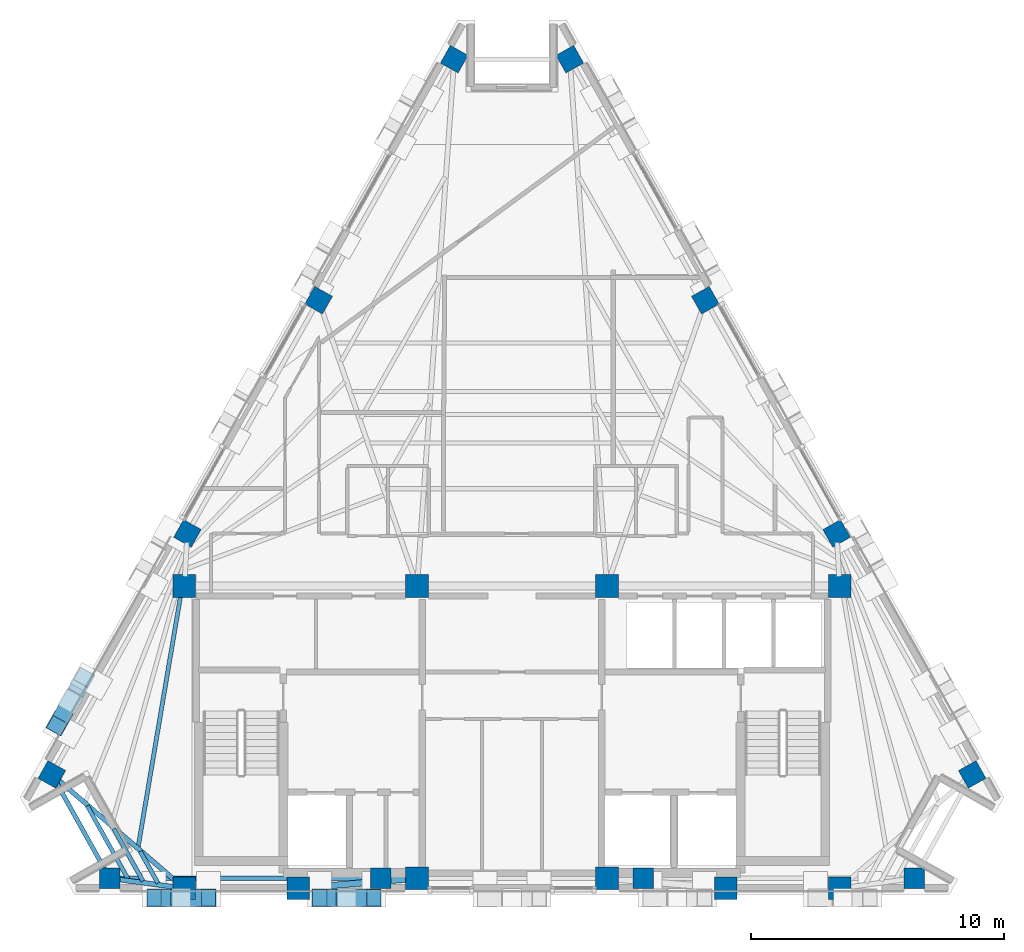
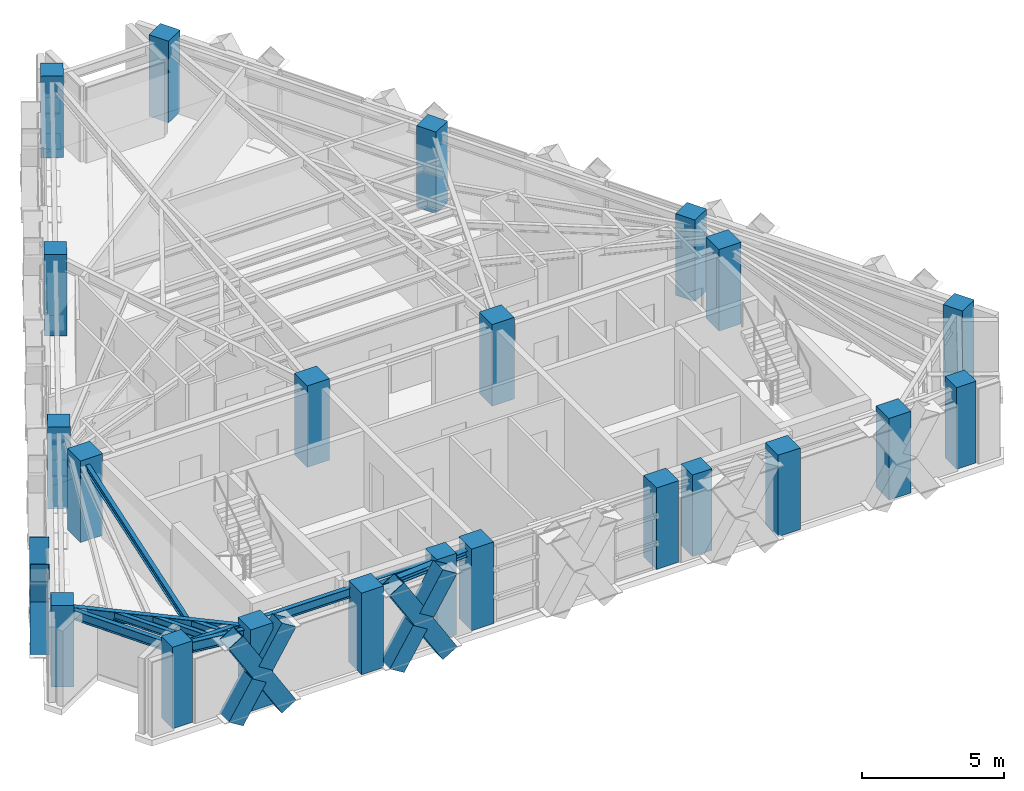
# One storey, part 1 of 11: 22 columns, 9 beams, 8 members.
"""IFC4 building model written with IfcOpenShell, lengths in metres."""

from ifc_helpers import new_model, si_unit, direction, frame, origin, origin_2d, place, context, subcontext, project, spatial, rectangle, hollow_rectangle, i_section, extrude, material, material_profile, profile_set, type_object, element, save


model = new_model("IFC4")

# Units and contexts
model_context = context("Model", 3, precision=1e-05, world=origin(), true_north=direction((0.0, 1.0)))
body_context = subcontext(model_context, "Body", "Model", "MODEL_VIEW")
ifc_project = project(units=[si_unit("LENGTHUNIT", "METRE"), si_unit("AREAUNIT", "SQUARE_METRE"), si_unit("VOLUMEUNIT", "CUBIC_METRE"), si_unit("PLANEANGLEUNIT", "RADIAN"), si_unit("MASSUNIT", "GRAM", prefix="KILO")], contexts=[model_context])

# Site, building, storey
site_placement = place(None, origin())
site = spatial("IfcSite", under=ifc_project, at=site_placement, CompositionType="ELEMENT")
building_placement = place(site_placement, origin())
building = spatial("IfcBuilding", under=site, at=building_placement, Name="Quenlor Broadcast Tower", CompositionType="ELEMENT")
storey_placement = place(building_placement, frame((0.0, 0.0, 242.89990234375)))
storey = spatial("IfcBuildingStorey", under=building, at=storey_placement, Name="L67", CompositionType="ELEMENT", Elevation=242.89990234375)

# Columns
ifc_material_1 = material(Name="Concrete C50/60", Category="concrete")
ifc_material_profile_1 = material_profile(ifc_material_1, rectangle(XDim=0.89990234375, YDim=0.89990234375, at=origin_2d()))
ifc_profile_set_1 = profile_set([ifc_material_profile_1], Name="Concrete C50/60 RC900x900")
column_type_1 = type_object("IfcColumnType", Name="Core Corner Column Upper Concrete C50/60 900", PredefinedType="COLUMN", material=ifc_profile_set_1)
for number, where, z_axis, x_axis, name in (
    (1, (-12.949951171875, -16.75, 0.0), (0.0, 0.0, 1.0), (1.0, 0.0, 0.0), "L67 Core Column CC1"),
    (2, (-8.449951171875, -16.75, 0.0), (0.0, 0.0, 1.0), (1.0, 0.0, 0.0), "L67 Core Column CC2"),
    (3, (-3.75, -16.35009765625, 0.0), (0.0, 0.0, 1.0), (1.0, 0.0, 0.0), "L67 Core Column CC3"),
    (4, (3.75, -16.35009765625, 0.0), (0.0, 0.0, 1.0), (1.0, 0.0, 0.0), "L67 Core Column CC4"),
    (5, (8.449951171875, -16.75, 0.0), (0.0, 0.0, 1.0), (1.0, 0.0, 0.0), "L67 Core Column CC5"),
    (6, (12.949951171875, -16.75, 0.0), (0.0, 0.0, 1.0), (1.0, 0.0, 0.0), "L67 Core Column CC6"),
    (7, (-12.949951171875, -4.800048828125, 0.0), (0.0, 0.0, 1.0), (1.0, 0.0, 0.0), "L67 Core Column CC7"),
    (8, (-3.75, -4.800048828125, 0.0), (0.0, 0.0, 1.0), (1.0, 0.0, 0.0), "L67 Core Column CC8"),
    (9, (3.75, -4.800048828125, 0.0), (0.0, 0.0, 1.0), (1.0, 0.0, 0.0), "L67 Core Column CC9"),
    (10, (12.949951171875, -4.800048828125, 0.0), (0.0, 0.0, 1.0), (1.0, 0.0, 0.0), "L67 Core Column CC10"),
):
    element("IfcColumn", number, at=place(storey_placement, frame(where, z_axis=z_axis, x_axis=x_axis)), inside=storey, type_object=column_type_1, Name=name, PredefinedType="COLUMN", context=body_context, shape_type="SweptSolid", body=[
        extrude(rectangle(XDim=0.89990234375, YDim=0.89990234375, at=origin_2d()), origin(), (0.0, 0.0, 1.0), 3.5),
    ])
ifc_material_2 = material(Name="Concrete C50/60", Category="concrete")
ifc_material_profile_2 = material_profile(ifc_material_2, rectangle(XDim=0.800048828125, YDim=0.800048828125, at=origin_2d()))
ifc_profile_set_2 = profile_set([ifc_material_profile_2], Name="Concrete C50/60 RC800x800")
column_type_2 = type_object("IfcColumnType", Name="Tower Perimeter Column Z5 Concrete C50/60 800", PredefinedType="COLUMN", material=ifc_profile_set_2)
for number, where, z_axis, x_axis, name in (
    (11, (-15.897705078125, -16.35009765625, 0.0), (0.0, 0.0, 1.0), (0.0, 1.0, 0.0), "L67 Perimeter Column S1"),
    (12, (-5.18408203125, -16.35009765625, 0.0), (0.0, 0.0, 1.0), (0.0, 1.0, 0.0), "L67 Perimeter Column S2"),
    (13, (5.18408203125, -16.35009765625, 0.0), (0.0, 0.0, 1.0), (0.0, 1.0, 0.0), "L67 Perimeter Column S3"),
    (14, (15.897705078125, -16.35009765625, 0.0), (0.0, 0.0, 1.0), (0.0, 1.0, 0.0), "L67 Perimeter Column S4"),
    (15, (18.182373046875, -12.25, 0.0), (0.0, 0.0, 1.0), (0.871575139605, 0.490261946333, 0.0), "L67 Perimeter Column NE1"),
    (16, (12.825439453125, -2.726806640625, 0.0), (0.0, 0.0, 1.0), (0.871575139605, 0.490261946333, 0.0), "L67 Perimeter Column NE2"),
    (17, (7.6416015625, 6.4892578125, 0.0), (0.0, 0.0, 1.0), (0.871575139605, 0.490261946333, 0.0), "L67 Perimeter Column NE3"),
    (18, (2.28466796875, 16.012451171875, 0.0), (0.0, 0.0, 1.0), (0.871575139605, 0.490261946333, 0.0), "L67 Perimeter Column NE4"),
    (19, (-2.28466796875, 16.012451171875, 0.0), (0.0, 0.0, 1.0), (-0.871575139605, 0.490261946333, 0.0), "L67 Perimeter Column NW1"),
    (20, (-7.6416015625, 6.4892578125, 0.0), (0.0, 0.0, 1.0), (-0.871575139605, 0.490261946333, 0.0), "L67 Perimeter Column NW2"),
    (21, (-12.825439453125, -2.726806640625, 0.0), (0.0, 0.0, 1.0), (-0.871575139605, 0.490261946333, 0.0), "L67 Perimeter Column NW3"),
    (22, (-18.182373046875, -12.25, 0.0), (0.0, 0.0, 1.0), (-0.871575139605, 0.490261946333, 0.0), "L67 Perimeter Column NW4"),
):
    element("IfcColumn", number, at=place(storey_placement, frame(where, z_axis=z_axis, x_axis=x_axis)), inside=storey, type_object=column_type_2, Name=name, PredefinedType="COLUMN", context=body_context, shape_type="SweptSolid", body=[
        extrude(rectangle(XDim=0.800048828125, YDim=0.800048828125, at=origin_2d()), origin(), (0.0, 0.0, 1.0), 3.5),
    ])

# Beam
ifc_material_3 = material(Name="Steel S355", Category="steel")
ifc_material_profile_3 = material_profile(ifc_material_3, i_section(OverallWidth=0.25390625, OverallDepth=0.25390625, WebThickness=0.008544921875, FlangeThickness=0.01416015625, FilletRadius=0.013916015625, at=origin_2d()))
ifc_profile_set_3 = profile_set([ifc_material_profile_3], Name="Steel S355 250UC72.9")
beam_type_1 = type_object("IfcBeamType", Name="Core Opening Lintel Beam Steel S355 250UC72.9", PredefinedType="LINTEL", material=ifc_profile_set_3)
beam_1_placement = place(storey_placement, frame((-8.09130859375, -16.719482421875, 3.123291015625), z_axis=(0.996399763903, 0.084779186679, 0.0), x_axis=(-0.084779186679, 0.996399763903, 0.0)))
element("IfcBeam", 23, at=beam_1_placement, inside=storey, type_object=beam_type_1, Name="L67 Core Opening Lintel Beam 4", PredefinedType="LINTEL", context=body_context, shape_type="SweptSolid", body=[
    extrude(i_section(OverallWidth=0.25390625, OverallDepth=0.25390625, WebThickness=0.008544921875, FlangeThickness=0.01416015625, FilletRadius=0.013916015625, at=origin_2d()), origin(), (0.0, 0.0, 1.0), 3.9970703125),
])

# Members
ifc_material_4 = material(Name="Steel S355", Category="steel")
ifc_material_profile_4 = material_profile(ifc_material_4, hollow_rectangle(XDim=0.679931640625, YDim=0.679931640625, WallThickness=0.02001953125, at=origin_2d()))
ifc_profile_set_4 = profile_set([ifc_material_profile_4], Name="Steel S355 RHS680x680x20")
member_type = type_object("IfcMemberType", Name="Perimeter Diagonal Lattice Brace Z5-Crown Steel S355 RHS680x20", PredefinedType="BRACE", material=ifc_profile_set_4)
member_1_placement = place(storey_placement, frame((-5.456298828125, -17.1201171875, -0.119873046875), z_axis=(-0.5236596973, 0.0, 0.851927532965), x_axis=(0.0, -1.0, 0.0)))
element("IfcMember", 24, at=member_1_placement, inside=storey, type_object=member_type, Name="L67 Perimeter Diamond Lattice S-C4XA", PredefinedType="BRACE", context=body_context, shape_type="SweptSolid", body=[
    extrude(hollow_rectangle(XDim=0.679931640625, YDim=0.679931640625, WallThickness=0.02001953125, at=origin_2d()), origin(), (0.0, 0.0, 1.0), 4.1083984375),
])
member_2_placement = place(storey_placement, frame((-7.607666015625, -17.1201171875, -0.119873046875), z_axis=(0.523719849356, 0.0, 0.851890555993), x_axis=(0.0, 1.0, 0.0)))
element("IfcMember", 25, at=member_2_placement, inside=storey, type_object=member_type, Name="L67 Perimeter Diamond Lattice S-C4XB1", PredefinedType="BRACE", context=body_context, shape_type="SweptSolid", body=[
    extrude(hollow_rectangle(XDim=0.679931640625, YDim=0.679931640625, WallThickness=0.02001953125, at=origin_2d()), origin(), (0.0, 0.0, 1.0), 1.803955078125),
])
member_3_placement = place(storey_placement, frame((-6.401123046875, -17.1201171875, 1.843017578125), z_axis=(0.523659478087, 0.0, 0.85192766771), x_axis=(0.0, 1.0, 0.0)))
element("IfcMember", 26, at=member_3_placement, inside=storey, type_object=member_type, Name="L67 Perimeter Diamond Lattice S-C4XB2", PredefinedType="BRACE", context=body_context, shape_type="SweptSolid", body=[
    extrude(hollow_rectangle(XDim=0.679931640625, YDim=0.679931640625, WallThickness=0.02001953125, at=origin_2d()), origin(), (0.0, 0.0, 1.0), 1.80419921875),
])
member_4_placement = place(storey_placement, frame((-11.98828125, -17.1201171875, -0.119873046875), z_axis=(-0.5236596973, 0.0, 0.851927532965), x_axis=(0.0, -1.0, 0.0)))
element("IfcMember", 27, at=member_4_placement, inside=storey, type_object=member_type, Name="L67 Perimeter Diamond Lattice S-C5XA", PredefinedType="BRACE", context=body_context, shape_type="SweptSolid", body=[
    extrude(hollow_rectangle(XDim=0.679931640625, YDim=0.679931640625, WallThickness=0.02001953125, at=origin_2d()), origin(), (0.0, 0.0, 1.0), 4.1083984375),
])
member_5_placement = place(storey_placement, frame((-14.1396484375, -17.1201171875, -0.119873046875), z_axis=(0.523719849356, 0.0, 0.851890555993), x_axis=(0.0, 1.0, 0.0)))
element("IfcMember", 28, at=member_5_placement, inside=storey, type_object=member_type, Name="L67 Perimeter Diamond Lattice S-C5XB1", PredefinedType="BRACE", context=body_context, shape_type="SweptSolid", body=[
    extrude(hollow_rectangle(XDim=0.679931640625, YDim=0.679931640625, WallThickness=0.02001953125, at=origin_2d()), origin(), (0.0, 0.0, 1.0), 1.803955078125),
])
member_6_placement = place(storey_placement, frame((-12.93310546875, -17.1201171875, 1.843017578125), z_axis=(0.523659478087, 0.0, 0.85192766771), x_axis=(0.0, 1.0, 0.0)))
element("IfcMember", 29, at=member_6_placement, inside=storey, type_object=member_type, Name="L67 Perimeter Diamond Lattice S-C5XB2", PredefinedType="BRACE", context=body_context, shape_type="SweptSolid", body=[
    extrude(hollow_rectangle(XDim=0.679931640625, YDim=0.679931640625, WallThickness=0.02001953125, at=origin_2d()), origin(), (0.0, 0.0, 1.0), 1.80419921875),
])
member_7_placement = place(storey_placement, frame((-17.982421875, -10.323974609375, -0.119873046875), z_axis=(0.260618804175, 0.463276364439, 0.847025884529), x_axis=(-0.8715547569, 0.490298180422, 0.0)))
element("IfcMember", 30, at=member_7_placement, inside=storey, type_object=member_type, Name="L67 Perimeter Diamond Lattice NW-C1XA", PredefinedType="BRACE", context=body_context, shape_type="SweptSolid", body=[
    extrude(hollow_rectangle(XDim=0.679931640625, YDim=0.679931640625, WallThickness=0.02001953125, at=origin_2d()), origin(), (0.0, 0.0, 1.0), 4.132080078125),
])
member_8_placement = place(storey_placement, frame((-17.509033203125, -9.482666015625, 1.841796875), z_axis=(-0.260656806259, -0.463240512825, 0.847033798988), x_axis=(0.871507987664, -0.490381308207, 0.0)))
element("IfcMember", 31, at=member_8_placement, inside=storey, type_object=member_type, Name="L67 Perimeter Diamond Lattice NW-C1XB2", PredefinedType="BRACE", context=body_context, shape_type="SweptSolid", body=[
    extrude(hollow_rectangle(XDim=0.679931640625, YDim=0.679931640625, WallThickness=0.02001953125, at=origin_2d()), origin(), (0.0, 0.0, 1.0), 1.816162109375),
])

# Beams
ifc_material_5 = material(Name="Steel S355", Category="steel")
ifc_material_profile_5 = material_profile(ifc_material_5, i_section(OverallWidth=0.177978515625, OverallDepth=0.406494140625, WebThickness=0.0078125, FlangeThickness=0.0126953125, FilletRadius=0.011474609375, at=origin_2d()))
ifc_profile_set_5 = profile_set([ifc_material_profile_5], Name="Steel S355 410UB59.7")
beam_type_2 = type_object("IfcBeamType", Name="Perimeter Spandrel Beam Z5 Steel S355 410UB59.7", PredefinedType="SPANDREL", material=ifc_profile_set_5)
beam_2_placement = place(storey_placement, frame((-15.53759765625, -16.35009765625, 3.046875), z_axis=(1.0, 0.0, 0.0), x_axis=(0.0, 1.0, 0.0)))
element("IfcBeam", 32, at=beam_2_placement, inside=storey, type_object=beam_type_2, Name="L67 Spandrel Beam S1-S2", PredefinedType="SPANDREL", context=body_context, shape_type="SweptSolid", body=[
    extrude(i_section(OverallWidth=0.177978515625, OverallDepth=0.406494140625, WebThickness=0.0078125, FlangeThickness=0.0126953125, FilletRadius=0.011474609375, at=origin_2d()), origin(), (0.0, 0.0, 1.0), 9.99365234375),
])
beam_3_placement = place(storey_placement, frame((-18.007080078125, -12.564453125, 3.046875), z_axis=(0.486800618374, -0.873513112638, 0.0), x_axis=(0.873513112638, 0.486800618374, 0.0)))
element("IfcBeam", 33, at=beam_3_placement, inside=storey, type_object=beam_type_2, Name="L67 Spandrel Beam NW4-S1", PredefinedType="SPANDREL", context=body_context, shape_type="SweptSolid", body=[
    extrude(i_section(OverallWidth=0.177978515625, OverallDepth=0.406494140625, WebThickness=0.0078125, FlangeThickness=0.0126953125, FilletRadius=0.011474609375, at=origin_2d()), origin(), (0.0, 0.0, 1.0), 3.9736328125),
])
ifc_material_6 = material(Name="Steel S355", Category="steel")
ifc_material_profile_6 = material_profile(ifc_material_6, i_section(OverallWidth=0.166015625, OverallDepth=0.30712890625, WebThickness=0.006591796875, FlangeThickness=0.01171875, FilletRadius=0.011474609375, at=origin_2d()))
ifc_profile_set_6 = profile_set([ifc_material_profile_6], Name="Steel S355 310UB46.2")
beam_type_3 = type_object("IfcBeamType", Name="Tower Composite Joist Z4-Z5 Steel S355 310UB46.2", PredefinedType="JOIST", material=ifc_profile_set_6)
beam_4_placement = place(storey_placement, frame((-14.76806640625, -15.09619140625, 3.096435546875), z_axis=(0.166553293246, 0.986032454085, 0.0), x_axis=(-0.986032454085, 0.166553293246, 0.0)))
element("IfcBeam", 34, at=beam_4_placement, inside=storey, type_object=beam_type_3, Name="L67 Secondary Composite Joist 13", PredefinedType="JOIST", context=body_context, shape_type="SweptSolid", body=[
    extrude(i_section(OverallWidth=0.166015625, OverallDepth=0.30712890625, WebThickness=0.006591796875, FlangeThickness=0.01171875, FilletRadius=0.011474609375, at=origin_2d()), origin(), (0.0, 0.0, 1.0), 11.097900390625),
])
beam_5_placement = place(storey_placement, frame((-13.9912109375, -16.544189453125, 3.096435546875), z_axis=(-0.486624304452, 0.873611347406, 0.0), x_axis=(-0.873611347406, -0.486624304452, 0.0)))
element("IfcBeam", 35, at=beam_5_placement, inside=storey, type_object=beam_type_3, Name="L67 Secondary Composite Joist 19", PredefinedType="JOIST", context=body_context, shape_type="SweptSolid", body=[
    extrude(i_section(OverallWidth=0.166015625, OverallDepth=0.30712890625, WebThickness=0.006591796875, FlangeThickness=0.01171875, FilletRadius=0.011474609375, at=origin_2d()), origin(), (0.0, 0.0, 1.0), 1.435791015625),
])
beam_6_placement = place(storey_placement, frame((-14.58056640625, -16.464111328125, 3.096435546875), z_axis=(-0.486820963037, 0.873501774439, 0.0), x_axis=(-0.873501774439, -0.486820963037, 0.0)))
element("IfcBeam", 36, at=beam_6_placement, inside=storey, type_object=beam_type_3, Name="L67 Secondary Composite Joist 20", PredefinedType="JOIST", context=body_context, shape_type="SweptSolid", body=[
    extrude(i_section(OverallWidth=0.166015625, OverallDepth=0.30712890625, WebThickness=0.006591796875, FlangeThickness=0.01171875, FilletRadius=0.011474609375, at=origin_2d()), origin(), (0.0, 0.0, 1.0), 2.37451171875),
])
beam_7_placement = place(storey_placement, frame((-15.170166015625, -16.384033203125, 3.096435546875), z_axis=(-0.486762404011, 0.873534408046, 0.0), x_axis=(-0.873534408046, -0.486762404011, 0.0)))
element("IfcBeam", 37, at=beam_7_placement, inside=storey, type_object=beam_type_3, Name="L67 Secondary Composite Joist 21", PredefinedType="JOIST", context=body_context, shape_type="SweptSolid", body=[
    extrude(i_section(OverallWidth=0.166015625, OverallDepth=0.30712890625, WebThickness=0.006591796875, FlangeThickness=0.01171875, FilletRadius=0.011474609375, at=origin_2d()), origin(), (0.0, 0.0, 1.0), 3.313232421875),
])
ifc_material_7 = material(Name="Steel S355", Category="steel")
ifc_material_profile_7 = material_profile(ifc_material_7, i_section(OverallWidth=0.19091796875, OverallDepth=0.46044921875, WebThickness=0.010009765625, FlangeThickness=0.01611328125, FilletRadius=0.011474609375, at=origin_2d()))
ifc_profile_set_7 = profile_set([ifc_material_profile_7], Name="Steel S355 460UB82.1")
beam_type_4 = type_object("IfcBeamType", Name="Tower Primary Floor Beam Z5 Steel S355 460UB82.1", PredefinedType="BEAM", material=ifc_profile_set_7)
beam_8_placement = place(storey_placement, frame((-15.541015625, -16.3984375, 3.02001953125), z_axis=(0.990917044125, -0.134474576267, 0.0), x_axis=(0.134474576267, 0.990917044125, 0.0)))
element("IfcBeam", 38, at=beam_8_placement, inside=storey, type_object=beam_type_4, Name="L67 Primary Radial Beam S1", PredefinedType="BEAM", context=body_context, shape_type="SweptSolid", body=[
    extrude(i_section(OverallWidth=0.19091796875, OverallDepth=0.46044921875, WebThickness=0.010009765625, FlangeThickness=0.01611328125, FilletRadius=0.011474609375, at=origin_2d()), origin(), (0.0, 0.0, 1.0), 2.23486328125),
])
beam_9_placement = place(storey_placement, frame((-17.909423828125, -12.484619140625, 3.02001953125), z_axis=(0.75817030855, -0.652056579779, 0.0), x_axis=(0.652056579779, 0.75817030855, 0.0)))
element("IfcBeam", 39, at=beam_9_placement, inside=storey, type_object=beam_type_4, Name="L67 Primary Radial Beam NW4", PredefinedType="BEAM", context=body_context, shape_type="SweptSolid", body=[
    extrude(i_section(OverallWidth=0.19091796875, OverallDepth=0.46044921875, WebThickness=0.010009765625, FlangeThickness=0.01611328125, FilletRadius=0.011474609375, at=origin_2d()), origin(), (0.0, 0.0, 1.0), 6.161376953125),
])

save(model, "model.ifc")
